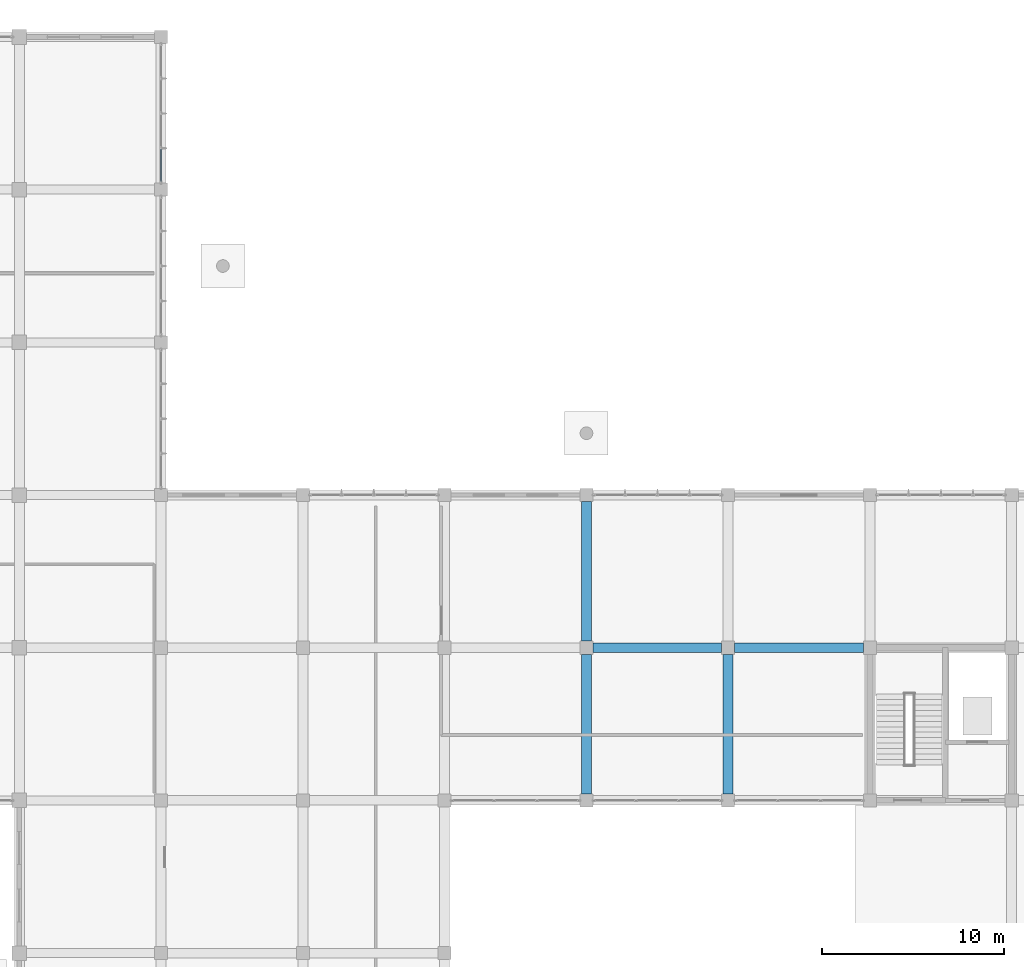
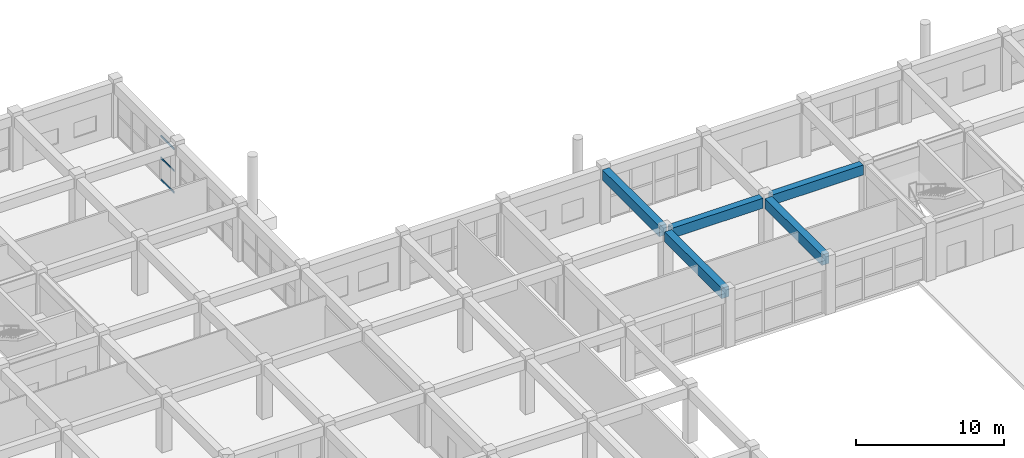
# One storey, part 86 of 139: 5 beams, 3 members, 1 element without a shape of its own.
"""IFC4 building model written with IfcOpenShell, lengths in metres."""

import ifcopenshell
import ifcopenshell.guid

model = None  # the IFC model being written
_history = None  # IfcOwnerHistory: only IFC2X3 demands one
_inside = {}  # id of a spatial element -> (the spatial element, [elements in it])
_under = {}  # id of a project, library or spatial element -> (it, [spatial elements below it])
_declared = {}  # id of a project -> (the project, [libraries it declares])
_typed = {}  # id of a type object -> (the type object, [elements of that type])
_made_of = {}  # id of a material, layer set ... -> (it, [elements and type objects made of it])


def new_model(schema):
    """Start an empty IFC model of exactly this schema.

    Asked for "IFC4X3", IfcOpenShell would pick the latest addendum, in which some entities
    have other attributes; the version numbers below select the first issue.
    IFC2X3 requires an IfcOwnerHistory on every rooted entity: one is made here for all.
    """
    global model, _history
    if schema == "IFC4X3":
        model = ifcopenshell.file(schema_version=(4, 3, 0, 0))
    else:
        model = ifcopenshell.file(schema=schema)
    _inside.clear()
    _under.clear()
    _declared.clear()
    _typed.clear()
    _made_of.clear()
    _history = None
    if model.schema == "IFC2X3":
        org = make("IfcOrganization", Name="unknown")
        user = make(
            "IfcPersonAndOrganization",
            ThePerson=make("IfcPerson", FamilyName="unknown"),
            TheOrganization=org,
        )
        app = make(
            "IfcApplication",
            ApplicationDeveloper=org,
            Version="unknown",
            ApplicationFullName="unknown",
            ApplicationIdentifier="unknown",
        )
        _history = make(
            "IfcOwnerHistory",
            OwningUser=user,
            OwningApplication=app,
            ChangeAction="ADDED",
            CreationDate=0,
        )
    return model


def make(cls, **values):
    """One entity of the class cls with the attributes given. An attribute that is None is left unset."""
    return model.create_entity(
        cls, **{name: value for name, value in values.items() if value is not None}
    )


def rooted(cls, **values):
    """An entity with a GlobalId (a new one), such as an element, a storey or a relation."""
    return make(cls, GlobalId=ifcopenshell.guid.new(), OwnerHistory=_history, **values)


def si_unit(unit_type, name, prefix=None):
    """IfcSIUnit, for example si_unit("LENGTHUNIT", "METRE", prefix="MILLI")."""
    return make("IfcSIUnit", UnitType=unit_type, Prefix=prefix, Name=name)


def assignment(units):
    """IfcUnitAssignment: the units of a project."""
    return None if units is None else make("IfcUnitAssignment", Units=units)


def point(xyz):
    """IfcCartesianPoint."""
    return None if xyz is None else make("IfcCartesianPoint", Coordinates=xyz)


def direction(xyz):
    """IfcDirection."""
    return None if xyz is None else make("IfcDirection", DirectionRatios=xyz)


def frame(location, z_axis=None, x_axis=None):
    """IfcAxis2Placement3D, a coordinate frame: its origin and axes. An axis left out is left unset."""
    return make(
        "IfcAxis2Placement3D",
        Location=point(location),
        Axis=direction(z_axis),
        RefDirection=direction(x_axis),
    )


def frame_2d(location, x_axis=None):
    """IfcAxis2Placement2D, a coordinate frame in the plane: its origin and x axis."""
    return make(
        "IfcAxis2Placement2D", Location=point(location), RefDirection=direction(x_axis)
    )


def origin():
    """The frame at (0, 0, 0) with its axes left unset."""
    return frame((0.0, 0.0, 0.0))


def origin_2d():
    """The frame at (0, 0) in the plane with its x axis left unset."""
    return frame_2d((0.0, 0.0))


def place(relative_to, where):
    """IfcLocalPlacement: puts the frame where relative to a parent placement (None: the world)."""
    return make(
        "IfcLocalPlacement", PlacementRelTo=relative_to, RelativePlacement=where
    )


def context(
    kind, dimensions, precision=None, world=None, true_north=None, identifier=None
):
    """IfcGeometricRepresentationContext, for example the 3D "Model" context."""
    return make(
        "IfcGeometricRepresentationContext",
        ContextIdentifier=identifier,
        ContextType=kind,
        CoordinateSpaceDimension=dimensions,
        Precision=precision,
        WorldCoordinateSystem=world,
        TrueNorth=true_north,
    )


def subcontext(parent, identifier, kind, view, scale=None):
    """IfcGeometricRepresentationSubContext, for example "Body" below "Model"."""
    return make(
        "IfcGeometricRepresentationSubContext",
        ContextIdentifier=identifier,
        ContextType=kind,
        ParentContext=parent,
        TargetScale=scale,
        TargetView=view,
    )


def project(units=None, contexts=None):
    """IfcProject with its units and contexts."""
    return rooted(
        "IfcProject",
        Name="project",
        RepresentationContexts=contexts,
        UnitsInContext=assignment(units),
    )


def spatial(cls, under=None, at=None, **own):
    """A site, building, storey or space (cls), placed at a placement, below another one or the project."""
    s = rooted(cls, ObjectPlacement=at, **own)
    if under is not None:
        _under.setdefault(under.id(), (under, []))[1].append(s)
    return s


def profile(cls, at=None, kind="AREA", **sizes):
    """A parametric profile (cls). Its sizes go by their IFC names, for example OverallWidth=200.0."""
    return make(cls, ProfileType=kind, Position=at, **sizes)


def rectangle(**sizes):
    """IfcRectangleProfileDef."""
    return profile("IfcRectangleProfileDef", **sizes)


def hollow_rectangle(**sizes):
    """IfcRectangleHollowProfileDef."""
    return profile("IfcRectangleHollowProfileDef", **sizes)


def extrude(swept, where, along, depth):
    """IfcExtrudedAreaSolid: the profile swept, set in the frame where, extruded along a direction by depth."""
    return make(
        "IfcExtrudedAreaSolid",
        SweptArea=swept,
        Position=where,
        ExtrudedDirection=direction(along),
        Depth=depth,
    )


def shape(context_of_items, identifier, shape_type, items):
    """IfcShapeRepresentation: the items that make up one representation, for example the "Body"."""
    return make(
        "IfcShapeRepresentation",
        ContextOfItems=context_of_items,
        RepresentationIdentifier=identifier,
        RepresentationType=shape_type,
        Items=items,
    )


def material(Name=None, Category=None):
    """IfcMaterial."""
    return make("IfcMaterial", Name=Name, Category=Category)


def layer(
    of_material, thickness, ventilated=None, Name=None, Category=None, Priority=None
):
    """IfcMaterialLayer: one layer of a wall or slab, of a material (None: an air gap)."""
    return make(
        "IfcMaterialLayer",
        Material=of_material,
        LayerThickness=thickness,
        IsVentilated=ventilated,
        Name=Name,
        Category=Category,
        Priority=Priority,
    )


def layer_set(layers, Name=None):
    """IfcMaterialLayerSet."""
    return make("IfcMaterialLayerSet", MaterialLayers=layers, LayerSetName=Name)


def material_profile(
    of_material, cross_section, Name=None, Category=None, Priority=None
):
    """IfcMaterialProfile: a cross section and its material."""
    return make(
        "IfcMaterialProfile",
        Name=Name,
        Material=of_material,
        Profile=cross_section,
        Priority=Priority,
        Category=Category,
    )


def profile_set(profiles, Name=None, composite=None):
    """IfcMaterialProfileSet."""
    return make(
        "IfcMaterialProfileSet",
        Name=Name,
        MaterialProfiles=profiles,
        CompositeProfile=composite,
    )


def made_of(thing, what):
    """Note that an element or type object is made of a material, layer set ...; save() writes the relation."""
    if what is not None:
        _made_of.setdefault(what.id(), (what, []))[1].append(thing)
    return thing


def type_object(cls, material=None, **own):
    """A type object (cls), such as IfcWallType, which elements share."""
    return made_of(rooted(cls, **own), material)


def element(
    cls,
    number,
    at=None,
    inside=None,
    cuts=None,
    type_object=None,
    material=None,
    context=None,
    identifier="Body",
    shape_type=None,
    held_by="IfcProductDefinitionShape",
    body=None,
    shapes=None,
    **own,
):
    """One element of the class cls, such as IfcWall. Its Tag is "e" and its number.

    at: its placement. inside: the storey or other place that contains it. cuts: it is an
    opening in that element (IfcRelVoidsElement). A single representation is given by context,
    identifier, shape_type and body (its items); several are given by shapes. held_by: the class
    of the entity that holds the representations. save() writes the other relations.
    """
    e = rooted(cls, Tag="e%d" % number, ObjectPlacement=at, **own)
    if body is not None:
        shapes = [shape(context, identifier, shape_type, body)]
    if shapes is not None:
        e.Representation = make(held_by, Representations=shapes)
    if inside is not None:
        _inside.setdefault(inside.id(), (inside, []))[1].append(e)
    if cuts is not None:
        rooted(
            "IfcRelVoidsElement", RelatingBuildingElement=cuts, RelatedOpeningElement=e
        )
    if type_object is not None:
        _typed.setdefault(type_object.id(), (type_object, []))[1].append(e)
    return made_of(e, material)


def aggregate(whole, parts):
    """IfcRelAggregates: a whole, such as a stair, and the parts it consists of."""
    return rooted("IfcRelAggregates", RelatingObject=whole, RelatedObjects=parts)


def save(model, path):
    """Write the relations noted so far, then the file.

    IfcRelAggregates (storeys below a building ...), IfcRelContainedInSpatialStructure (elements
    in a storey), IfcRelDefinesByType, IfcRelAssociatesMaterial and IfcRelDeclares: one each for
    every whole, place, type object, material and project.
    """
    for whole, parts in _under.values():
        aggregate(whole, parts)
    for where, things in _inside.values():
        rooted(
            "IfcRelContainedInSpatialStructure",
            RelatedElements=things,
            RelatingStructure=where,
        )
    for kind, things in _typed.values():
        rooted("IfcRelDefinesByType", RelatedObjects=things, RelatingType=kind)
    for what, things in _made_of.values():
        rooted("IfcRelAssociatesMaterial", RelatedObjects=things, RelatingMaterial=what)
    for by, libraries in _declared.values():
        rooted("IfcRelDeclares", RelatingContext=by, RelatedDefinitions=libraries)
    model.write(path)


model = new_model("IFC4")

# Units and contexts
model_context = context("Model", 3, precision=1e-05, world=origin(), true_north=direction((0.0, 1.0)))
body_context = subcontext(model_context, "Body", "Model", "MODEL_VIEW")
ifc_project = project(units=[si_unit("LENGTHUNIT", "METRE"), si_unit("AREAUNIT", "SQUARE_METRE"), si_unit("VOLUMEUNIT", "CUBIC_METRE"), si_unit("PLANEANGLEUNIT", "RADIAN"), si_unit("MASSUNIT", "GRAM", prefix="KILO")], contexts=[model_context])

# Site, building, storey
site_placement = place(None, origin())
site = spatial("IfcSite", under=ifc_project, at=site_placement, CompositionType="ELEMENT")
building_placement = place(site_placement, origin())
building = spatial("IfcBuilding", under=site, at=building_placement, Name="Zizhar Promenade General Hospital", CompositionType="ELEMENT")
storey_placement = place(building_placement, origin())
storey = spatial("IfcBuildingStorey", under=building, at=storey_placement, Name="L00", CompositionType="ELEMENT", Elevation=0.0)

# Beams
ifc_material_1 = material(Name="Concrete C35/45", Category="concrete")
ifc_material_profile_1 = material_profile(ifc_material_1, rectangle(XDim=0.52001953125, YDim=0.820068359375, at=origin_2d()))
ifc_profile_set_1 = profile_set([ifc_material_profile_1], Name="Concrete C35/45")
beam_type_1 = type_object("IfcBeamType", Name="BM-RC-520x820", PredefinedType="BEAM", material=ifc_profile_set_1)
beam_1_placement = place(storey_placement, frame((156.360107421875, 100.800048828125, 4.06005859375), z_axis=(1.0, 0.0, 0.0), x_axis=(0.0, 1.0, 0.0)))
element("IfcBeam", 1, at=beam_1_placement, inside=storey, type_object=beam_type_1, Name="Grid Beam X L00 (20-12)", PredefinedType="BEAM", context=body_context, shape_type="SweptSolid", body=[
    extrude(rectangle(XDim=0.52001953125, YDim=0.820068359375, at=origin_2d()), origin(), (0.0, 0.0, 1.0), 7.079833984375),
])
beam_2_placement = place(storey_placement, frame((164.159912109375, 100.800048828125, 4.06005859375), z_axis=(1.0, 0.0, 0.0), x_axis=(0.0, 1.0, 0.0)))
element("IfcBeam", 2, at=beam_2_placement, inside=storey, type_object=beam_type_1, Name="Grid Beam X L00 (21-12)", PredefinedType="BEAM", context=body_context, shape_type="SweptSolid", body=[
    extrude(rectangle(XDim=0.52001953125, YDim=0.820068359375, at=origin_2d()), origin(), (0.0, 0.0, 1.0), 7.080078125),
])
ifc_material_2 = material(Name="Concrete C35/45", Category="concrete")
ifc_material_profile_2 = material_profile(ifc_material_2, rectangle(XDim=0.550048828125, YDim=0.85009765625, at=origin_2d()))
ifc_profile_set_2 = profile_set([ifc_material_profile_2], Name="Concrete C35/45")
beam_type_2 = type_object("IfcBeamType", Name="BM-RC-550x850", PredefinedType="BEAM", material=ifc_profile_set_2)
beam_3_placement = place(storey_placement, frame((156.0, 92.760009765625, 4.044921875), z_axis=(0.0, 1.0, 0.0), x_axis=(-1.0, 0.0, 0.0)))
element("IfcBeam", 3, at=beam_3_placement, inside=storey, type_object=beam_type_2, Name="Grid Beam Y L00 (20-11)", PredefinedType="BEAM", context=body_context, shape_type="SweptSolid", body=[
    extrude(rectangle(XDim=0.550048828125, YDim=0.85009765625, at=origin_2d()), origin(), (0.0, 0.0, 1.0), 7.679931640625),
])
beam_4_placement = place(storey_placement, frame((156.0, 101.159912109375, 4.044921875), z_axis=(0.0, 1.0, 0.0), x_axis=(-1.0, 0.0, 0.0)))
element("IfcBeam", 4, at=beam_4_placement, inside=storey, type_object=beam_type_2, Name="Grid Beam Y L00 (20-12)", PredefinedType="BEAM", context=body_context, shape_type="SweptSolid", body=[
    extrude(rectangle(XDim=0.550048828125, YDim=0.85009765625, at=origin_2d()), origin(), (0.0, 0.0, 1.0), 7.68017578125),
])
beam_5_placement = place(storey_placement, frame((163.800048828125, 92.760009765625, 4.044921875), z_axis=(0.0, 1.0, 0.0), x_axis=(-1.0, 0.0, 0.0)))
element("IfcBeam", 5, at=beam_5_placement, inside=storey, type_object=beam_type_2, Name="Grid Beam Y L00 (21-11)", PredefinedType="BEAM", context=body_context, shape_type="SweptSolid", body=[
    extrude(rectangle(XDim=0.550048828125, YDim=0.85009765625, at=origin_2d()), origin(), (0.0, 0.0, 1.0), 7.679931640625),
])

# Curtain wall, members
ifc_material_3 = material(Name="Anodised aluminium 6063-T6 and low-E glass", Category="aluminium")
ifc_layer = layer(ifc_material_3, 0.159912109375)
ifc_layer_set = layer_set([ifc_layer], Name="Anodised aluminium 6063-T6 and low-E glass")
curtain_wall_type = type_object("IfcCurtainWallType", Name="CW-DT-MOD1", PredefinedType="NOTDEFINED", material=ifc_layer_set)
curtain_wall_placement = place(storey_placement, origin())
curtain_wall = element("IfcCurtainWall", 6, at=curtain_wall_placement, inside=storey, type_object=curtain_wall_type, Name="Surgical East Glazed Curtain Wall L00-15", PredefinedType="NOTDEFINED")
ifc_material_4 = material(Name="Anodised aluminium 6063-T6", Category="aluminium")
ifc_material_profile_3 = material_profile(ifc_material_4, hollow_rectangle(XDim=0.06005859375, YDim=0.14990234375, WallThickness=0.00390625, at=origin_2d()))
ifc_profile_set_3 = profile_set([ifc_material_profile_3], Name="Anodised aluminium 6063-T6")
member_type = type_object("IfcMemberType", Name="CWT-ALU-150x60", PredefinedType="USERDEFINED", material=ifc_profile_set_3)
member_1_placement = place(storey_placement, frame((132.60009765625, 128.239990234375, 0.030029296875), z_axis=(0.0, -1.0, 0.0), x_axis=(1.0, 0.0, 0.0)))
member_1 = element("IfcMember", 7, at=member_1_placement, type_object=member_type, Name="CW-07 transom 4.1", ObjectType="TRANSOM", PredefinedType="USERDEFINED", context=body_context, shape_type="SweptSolid", body=[
    extrude(hollow_rectangle(XDim=0.06005859375, YDim=0.14990234375, WallThickness=0.00390625, at=origin_2d()), origin(), (0.0, 0.0, 1.0), 1.800048828125),
])
member_2_placement = place(storey_placement, frame((132.60009765625, 128.239990234375, 1.81494140625), z_axis=(0.0, -1.0, 0.0), x_axis=(1.0, 0.0, 0.0)))
member_2 = element("IfcMember", 8, at=member_2_placement, type_object=member_type, Name="CW-07 transom 4.2", ObjectType="TRANSOM", PredefinedType="USERDEFINED", context=body_context, shape_type="SweptSolid", body=[
    extrude(hollow_rectangle(XDim=0.06005859375, YDim=0.14990234375, WallThickness=0.00390625, at=origin_2d()), origin(), (0.0, 0.0, 1.0), 1.800048828125),
])
member_3_placement = place(storey_placement, frame((132.60009765625, 128.239990234375, 3.60009765625), z_axis=(0.0, -1.0, 0.0), x_axis=(1.0, 0.0, 0.0)))
member_3 = element("IfcMember", 9, at=member_3_placement, type_object=member_type, Name="CW-07 transom 4.3", ObjectType="TRANSOM", PredefinedType="USERDEFINED", context=body_context, shape_type="SweptSolid", body=[
    extrude(hollow_rectangle(XDim=0.06005859375, YDim=0.14990234375, WallThickness=0.00390625, at=origin_2d()), origin(), (0.0, 0.0, 1.0), 1.800048828125),
])
aggregate(curtain_wall, [member_1, member_2, member_3])

save(model, "model.ifc")
